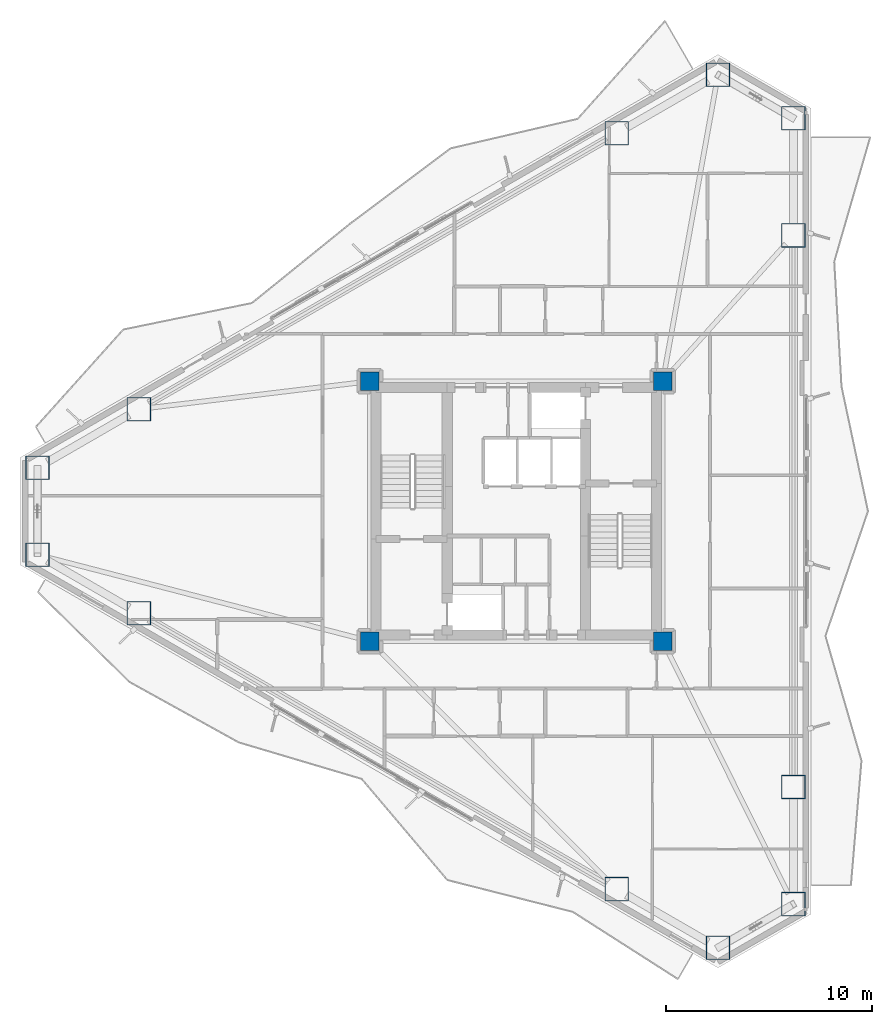
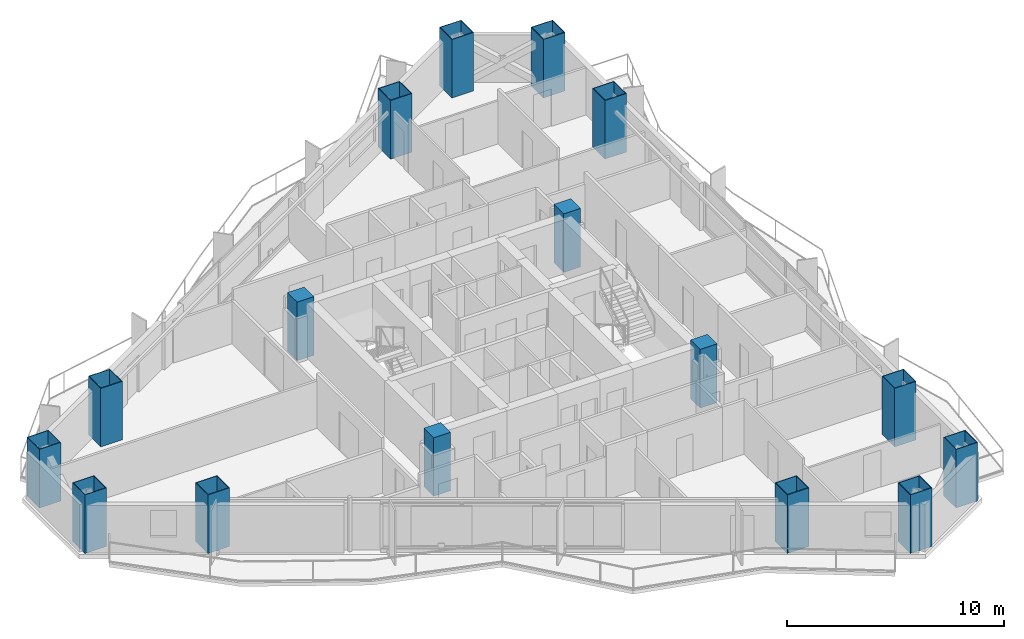
# One storey, part 1 of 22: 16 columns.
"""IFC4 building model written with IfcOpenShell, lengths in metres."""

from ifc_helpers import new_model, si_unit, direction, frame, origin, origin_2d, place, context, subcontext, project, spatial, rectangle, hollow_rectangle, extrude, material, material_profile, profile_set, type_object, element, save


model = new_model("IFC4")

# Units and contexts
model_context = context("Model", 3, precision=1e-05, world=origin(), true_north=direction((0.0, 1.0)))
body_context = subcontext(model_context, "Body", "Model", "MODEL_VIEW")
ifc_project = project(units=[si_unit("LENGTHUNIT", "METRE"), si_unit("AREAUNIT", "SQUARE_METRE"), si_unit("VOLUMEUNIT", "CUBIC_METRE"), si_unit("PLANEANGLEUNIT", "RADIAN"), si_unit("MASSUNIT", "GRAM", prefix="KILO")], contexts=[model_context])

# Site, building, storey
site_placement = place(None, origin())
site = spatial("IfcSite", under=ifc_project, at=site_placement, CompositionType="ELEMENT")
building_placement = place(site_placement, origin())
building = spatial("IfcBuilding", under=site, at=building_placement, Name="Mersakhor Tower and Convention Hall", CompositionType="ELEMENT")
storey_placement = place(building_placement, frame((0.0, 0.0, 86.699951171875)))
storey = spatial("IfcBuildingStorey", under=building, at=storey_placement, Name="L23", CompositionType="ELEMENT", Elevation=86.699951171875)

# Columns
ifc_material_1 = material(Name="Concrete C60/75 in S460M steel box", Category="concrete")
ifc_material_profile_1 = material_profile(ifc_material_1, hollow_rectangle(XDim=1.14990234375, YDim=1.14990234375, WallThickness=0.031982421875, at=origin_2d()), Name="SHS 1150x1150x32")
ifc_profile_set_1 = profile_set([ifc_material_profile_1], Name="Concrete C60/75 in S460M steel box")
column_type_1 = type_object("IfcColumnType", Name="COL-CFT-1150", PredefinedType="COLUMN", material=ifc_profile_set_1)
for number, where, z_axis, x_axis, name in (
    (1, (5.78662109375, 28.86083984375, 0.0), (0.0, 0.0, 1.0), (1.0, 0.0, 0.0), "L23 Perimeter Mega-Column MC-01"),
    (2, (10.702392578125, 31.698974609375, 0.0), (0.0, 0.0, 1.0), (1.0, 0.0, 0.0), "L23 Perimeter Mega-Column MC-02"),
    (3, (33.86279296875, 45.070556640625, 0.0), (0.0, 0.0, 1.0), (1.0, 0.0, 0.0), "L23 Perimeter Mega-Column MC-03"),
    (4, (38.77880859375, 47.90869140625, 0.0), (0.0, 0.0, 1.0), (1.0, 0.0, 0.0), "L23 Perimeter Mega-Column MC-04"),
    (5, (42.4345703125, 45.798095703125, 0.0), (0.0, 0.0, 1.0), (1.0, 0.0, 0.0), "L23 Perimeter Mega-Column MC-05"),
    (6, (42.4345703125, 40.12158203125, 0.0), (0.0, 0.0, 1.0), (1.0, 0.0, 0.0), "L23 Perimeter Mega-Column MC-06"),
    (7, (42.4345703125, 13.37841796875, 0.0), (0.0, 0.0, 1.0), (1.0, 0.0, 0.0), "L23 Perimeter Mega-Column MC-07"),
    (8, (42.4345703125, 7.701904296875, 0.0), (0.0, 0.0, 1.0), (1.0, 0.0, 0.0), "L23 Perimeter Mega-Column MC-08"),
    (9, (38.77880859375, 5.59130859375, 0.0), (0.0, 0.0, 1.0), (1.0, 0.0, 0.0), "L23 Perimeter Mega-Column MC-09"),
    (10, (33.86279296875, 8.429443359375, 0.0), (0.0, 0.0, 1.0), (1.0, 0.0, 0.0), "L23 Perimeter Mega-Column MC-10"),
    (11, (10.702392578125, 21.801025390625, 0.0), (0.0, 0.0, 1.0), (1.0, 0.0, 0.0), "L23 Perimeter Mega-Column MC-11"),
    (12, (5.78662109375, 24.63916015625, 0.0), (0.0, 0.0, 1.0), (1.0, 0.0, 0.0), "L23 Perimeter Mega-Column MC-12"),
):
    element("IfcColumn", number, at=place(storey_placement, frame(where, z_axis=z_axis, x_axis=x_axis)), inside=storey, type_object=column_type_1, Name=name, PredefinedType="COLUMN", context=body_context, shape_type="SweptSolid", body=[
        extrude(hollow_rectangle(XDim=1.14990234375, YDim=1.14990234375, WallThickness=0.031982421875, at=origin_2d()), origin(), (0.0, 0.0, 1.0), 3.300048828125),
    ])
ifc_material_2 = material(Name="Concrete C60/75", Category="concrete")
ifc_material_profile_2 = material_profile(ifc_material_2, rectangle(XDim=0.89990234375, YDim=0.89990234375, at=origin_2d()), Name="RC 900x900")
ifc_profile_set_2 = profile_set([ifc_material_profile_2], Name="Concrete C60/75")
column_type_2 = type_object("IfcColumnType", Name="COL-RC-900", PredefinedType="COLUMN", material=ifc_profile_set_2)
for number, where, z_axis, x_axis, name in (
    (13, (21.89990234375, 20.449951171875, 0.0), (0.0, 0.0, 1.0), (1.0, 0.0, 0.0), "L23 Core Corner Column CC-1"),
    (14, (21.89990234375, 33.050048828125, 0.0), (0.0, 0.0, 1.0), (1.0, 0.0, 0.0), "L23 Core Corner Column CC-2"),
    (15, (36.10009765625, 33.050048828125, 0.0), (0.0, 0.0, 1.0), (1.0, 0.0, 0.0), "L23 Core Corner Column CC-3"),
    (16, (36.10009765625, 20.449951171875, 0.0), (0.0, 0.0, 1.0), (1.0, 0.0, 0.0), "L23 Core Corner Column CC-4"),
):
    element("IfcColumn", number, at=place(storey_placement, frame(where, z_axis=z_axis, x_axis=x_axis)), inside=storey, type_object=column_type_2, Name=name, PredefinedType="COLUMN", context=body_context, shape_type="SweptSolid", body=[
        extrude(rectangle(XDim=0.89990234375, YDim=0.89990234375, at=origin_2d()), origin(), (0.0, 0.0, 1.0), 3.300048828125),
    ])

save(model, "model.ifc")
